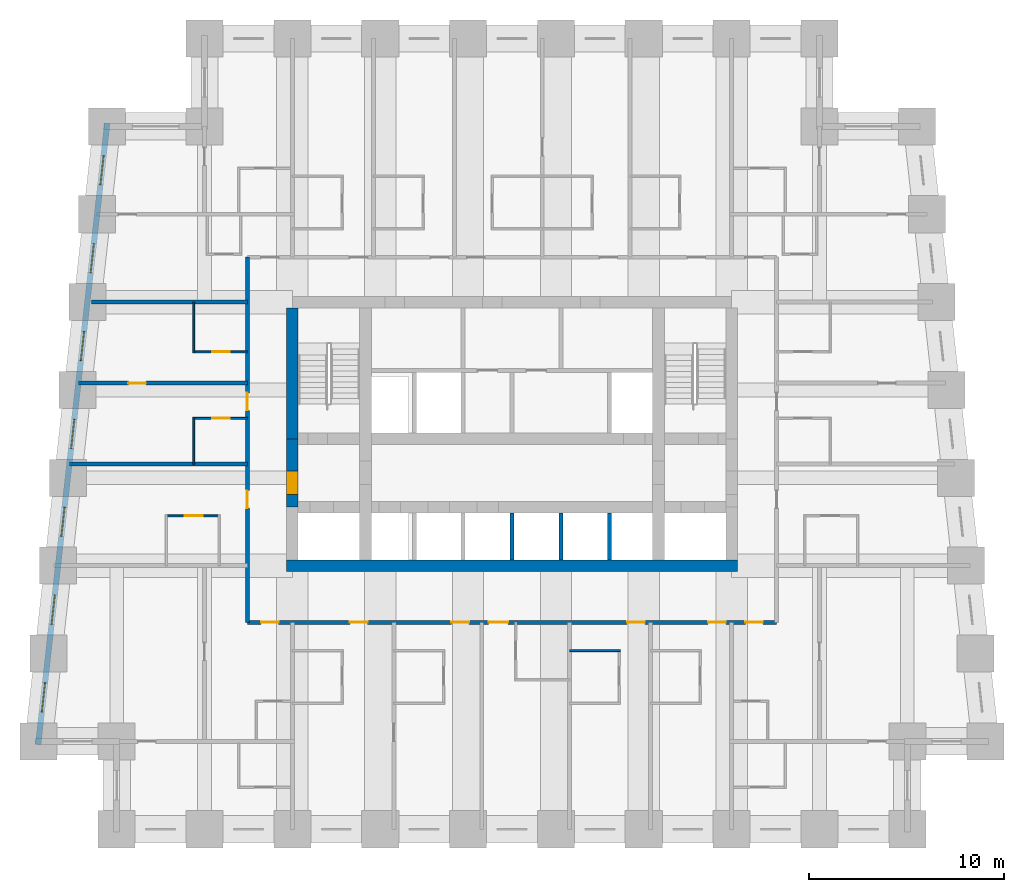
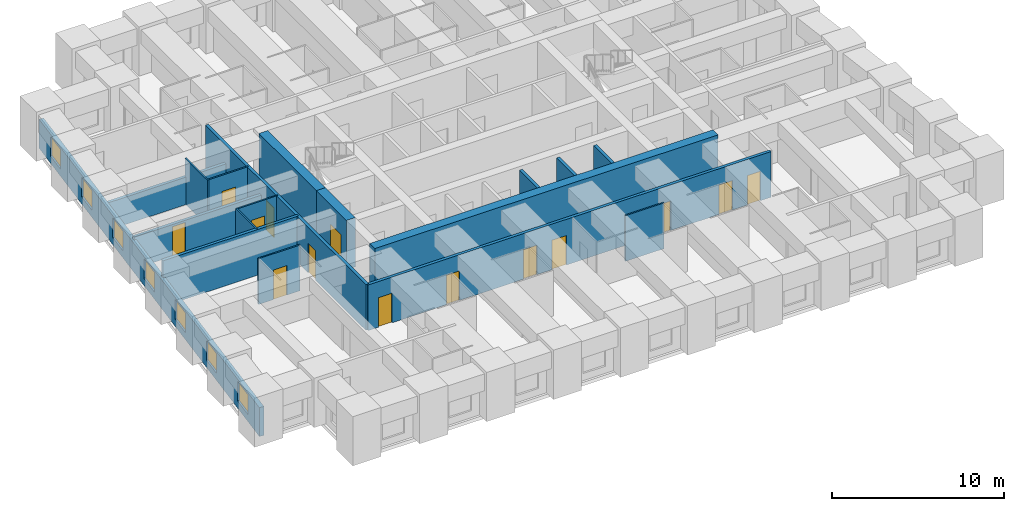
# One storey, part 3 of 8: 18 walls, 14 doors, 7 windows, 21 openings.
"""IFC4 building model written with IfcOpenShell, lengths in metres."""

from ifc_helpers import new_model, si_unit, direction, frame, frame_2d, origin, place, context, subcontext, project, spatial, rectangle, extrude, material, layer, layer_set, type_object, element, fill, save


model = new_model("IFC4")

# Units and contexts
model_context = context("Model", 3, precision=1e-05, world=origin(), true_north=direction((0.0, 1.0)))
body_context = subcontext(model_context, "Body", "Model", "MODEL_VIEW")
ifc_project = project(units=[si_unit("LENGTHUNIT", "METRE"), si_unit("AREAUNIT", "SQUARE_METRE"), si_unit("VOLUMEUNIT", "CUBIC_METRE"), si_unit("PLANEANGLEUNIT", "RADIAN"), si_unit("MASSUNIT", "GRAM", prefix="KILO")], contexts=[model_context])

# Site, building, storey
site_placement = place(None, origin())
site = spatial("IfcSite", under=ifc_project, at=site_placement, CompositionType="ELEMENT")
building_placement = place(site_placement, origin())
building = spatial("IfcBuilding", under=site, at=building_placement, Name="Kilele Tower Hotel", CompositionType="ELEMENT")
storey_placement = place(building_placement, frame((0.0, 0.0, 47.199951171875)))
storey = spatial("IfcBuildingStorey", under=building, at=storey_placement, Name="L10", CompositionType="ELEMENT", Elevation=47.199951171875)

# Wall
ifc_material_1 = material(Name="Moisture-resistant board")
ifc_layer_1 = layer(ifc_material_1, 0.10009765625)
ifc_layer_set_1 = layer_set([ifc_layer_1], Name="Moisture-resistant board")
wall_type_1 = type_object("IfcWallType", Name="Bathroom partition 100", PredefinedType="PLUMBINGWALL", material=ifc_layer_set_1)
wall_1_placement = place(storey_placement, frame((27.699951171875, 9.14990234375, 0.0), z_axis=(0.0, 0.0, 1.0), x_axis=(1.0, 0.0, 0.0)))
element("IfcWall", 1, at=wall_1_placement, inside=storey, type_object=wall_type_1, Name="Bathroom partition 100 L10", PredefinedType="PLUMBINGWALL", context=body_context, shape_type="SweptSolid", body=[
    extrude(rectangle(XDim=2.60009765625, YDim=0.10009765625, at=frame_2d((1.300048828125, 0.0))), origin(), (0.0, 0.0, 1.0), 3.25),
])

# Wall, opening, door
wall_2_placement = place(storey_placement, frame((9.800048828125, 16.050048828125, 0.0), z_axis=(0.0, 0.0, 1.0), x_axis=(-1.0, 0.0, 0.0)))
wall_2 = element("IfcWall", 2, at=wall_2_placement, inside=storey, type_object=wall_type_1, Name="Bathroom partition 100 L10", PredefinedType="PLUMBINGWALL", context=body_context, shape_type="SweptSolid", body=[
    extrude(rectangle(XDim=2.800048828125, YDim=0.10009765625, at=frame_2d((1.39990234375, 0.0))), origin(), (0.0, 0.0, 1.0), 3.25),
])
opening_1_placement = place(wall_2_placement, frame((1.7998046875, 0.0, 0.0), z_axis=(0.0, 0.0, 1.0), x_axis=(-1.0, 0.0, 0.0)))
opening_1 = element("IfcOpeningElement", 3, at=opening_1_placement, cuts=wall_2, Name="Opening D2A", PredefinedType="OPENING", context=body_context, shape_type="SweptSolid", body=[
    extrude(rectangle(XDim=0.89990234375, YDim=2.10009765625, at=frame_2d((0.449951171875, 1.050048828125))), frame((0.0, 0.06005859375, 0.0), z_axis=(0.0, -1.0, 0.0), x_axis=(1.0, 0.0, 0.0)), (0.0, 0.0, 1.0), 0.1201171875),
])
ifc_material_2 = material(Name="Timber door leaf in hardwood frame", Category="wood")
door_type_1 = type_object("IfcDoorType", Name="Bathroom door 900", OperationType="SINGLE_SWING_LEFT", PredefinedType="DOOR", material=ifc_material_2)
door_1_placement = place(opening_1_placement, origin())
door_1 = element("IfcDoor", 4, at=door_1_placement, inside=storey, type_object=door_type_1, Name="Bathroom door 1014B", OperationType="SINGLE_SWING_RIGHT", OverallHeight=2.10009765625, OverallWidth=0.89990234375, PredefinedType="DOOR", context=body_context, shape_type="SweptSolid", body=[
    extrude(rectangle(XDim=0.89990234375, YDim=2.10009765625, at=frame_2d((0.449951171875, 1.050048828125))), frame((0.0, 0.02490234375, 0.0), z_axis=(0.0, -1.0, 0.0), x_axis=(1.0, 0.0, 0.0)), (0.0, 0.0, 1.0), 0.050048828125),
])
fill(opening_1, door_1)

# Wall
wall_3_placement = place(storey_placement, frame((8.449951171875, 18.699951171875, 0.0), z_axis=(0.0, 0.0, 1.0), x_axis=(0.0, 1.0, 0.0)))
element("IfcWall", 5, at=wall_3_placement, inside=storey, type_object=wall_type_1, Name="Bathroom partition 100 L10", PredefinedType="PLUMBINGWALL", context=body_context, shape_type="SweptSolid", body=[
    extrude(rectangle(XDim=2.400146484375, YDim=0.10009765625, at=frame_2d((1.2001953125, 0.0))), origin(), (0.0, 0.0, 1.0), 3.25),
])

# Wall, opening, door
wall_4_placement = place(storey_placement, frame((11.199951171875, 21.050048828125, 0.0), z_axis=(0.0, 0.0, 1.0), x_axis=(-1.0, 0.0, 0.0)))
wall_4 = element("IfcWall", 6, at=wall_4_placement, inside=storey, type_object=wall_type_1, Name="Bathroom partition 100 L10", PredefinedType="PLUMBINGWALL", context=body_context, shape_type="SweptSolid", body=[
    extrude(rectangle(XDim=2.800048828125, YDim=0.10009765625, at=frame_2d((1.39990234375, 0.0))), origin(), (0.0, 0.0, 1.0), 3.25),
])
opening_2_placement = place(wall_4_placement, frame((1.7998046875, 0.0, 0.0), z_axis=(0.0, 0.0, 1.0), x_axis=(-1.0, 0.0, 0.0)))
opening_2 = element("IfcOpeningElement", 7, at=opening_2_placement, cuts=wall_4, Name="Opening D2A", PredefinedType="OPENING", context=body_context, shape_type="SweptSolid", body=[
    extrude(rectangle(XDim=0.89990234375, YDim=2.10009765625, at=frame_2d((0.449951171875, 1.050048828125))), frame((0.0, 0.06005859375, 0.0), z_axis=(0.0, -1.0, 0.0), x_axis=(1.0, 0.0, 0.0)), (0.0, 0.0, 1.0), 0.1201171875),
])
door_2_placement = place(opening_2_placement, origin())
door_2 = element("IfcDoor", 8, at=door_2_placement, inside=storey, type_object=door_type_1, Name="Bathroom door 1015B", OperationType="SINGLE_SWING_RIGHT", OverallHeight=2.10009765625, OverallWidth=0.89990234375, PredefinedType="DOOR", context=body_context, shape_type="SweptSolid", body=[
    extrude(rectangle(XDim=0.89990234375, YDim=2.10009765625, at=frame_2d((0.449951171875, 1.050048828125))), frame((0.0, 0.02490234375, 0.0), z_axis=(0.0, -1.0, 0.0), x_axis=(1.0, 0.0, 0.0)), (0.0, 0.0, 1.0), 0.050048828125),
])
fill(opening_2, door_2)

# Wall
wall_5_placement = place(storey_placement, frame((8.449951171875, 24.39990234375, 0.0), z_axis=(0.0, 0.0, 1.0), x_axis=(0.0, 1.0, 0.0)))
element("IfcWall", 9, at=wall_5_placement, inside=storey, type_object=wall_type_1, Name="Bathroom partition 100 L10", PredefinedType="PLUMBINGWALL", context=body_context, shape_type="SweptSolid", body=[
    extrude(rectangle(XDim=2.60009765625, YDim=0.10009765625, at=frame_2d((1.300048828125, 0.0))), origin(), (0.0, 0.0, 1.0), 3.25),
])

# Wall, opening, door
wall_6_placement = place(storey_placement, frame((11.199951171875, 24.449951171875, 0.0), z_axis=(0.0, 0.0, 1.0), x_axis=(-1.0, 0.0, 0.0)))
wall_6 = element("IfcWall", 10, at=wall_6_placement, inside=storey, type_object=wall_type_1, Name="Bathroom partition 100 L10", PredefinedType="PLUMBINGWALL", context=body_context, shape_type="SweptSolid", body=[
    extrude(rectangle(XDim=2.800048828125, YDim=0.10009765625, at=frame_2d((1.39990234375, 0.0))), origin(), (0.0, 0.0, 1.0), 3.25),
])
opening_3_placement = place(wall_6_placement, frame((0.89990234375, 0.0, 0.0)))
opening_3 = element("IfcOpeningElement", 11, at=opening_3_placement, cuts=wall_6, Name="Opening D2A", PredefinedType="OPENING", context=body_context, shape_type="SweptSolid", body=[
    extrude(rectangle(XDim=0.89990234375, YDim=2.10009765625, at=frame_2d((0.449951171875, 1.050048828125))), frame((0.0, 0.06005859375, 0.0), z_axis=(0.0, -1.0, 0.0), x_axis=(1.0, 0.0, 0.0)), (0.0, 0.0, 1.0), 0.1201171875),
])
door_3_placement = place(opening_3_placement, origin())
door_3 = element("IfcDoor", 12, at=door_3_placement, inside=storey, type_object=door_type_1, Name="Bathroom door 1016B", OperationType="SINGLE_SWING_LEFT", OverallHeight=2.10009765625, OverallWidth=0.89990234375, PredefinedType="DOOR", context=body_context, shape_type="SweptSolid", body=[
    extrude(rectangle(XDim=0.89990234375, YDim=2.10009765625, at=frame_2d((0.449951171875, 1.050048828125))), frame((0.0, 0.02490234375, 0.0), z_axis=(0.0, -1.0, 0.0), x_axis=(1.0, 0.0, 0.0)), (0.0, 0.0, 1.0), 0.050048828125),
])
fill(opening_3, door_3)

# Walls
ifc_material_3 = material(Name="Concrete C60/75", Category="concrete")
ifc_layer_2 = layer(ifc_material_3, 0.60009765625)
ifc_layer_set_2 = layer_set([ifc_layer_2], Name="Concrete C60/75")
wall_type_2 = type_object("IfcWallType", Name="Core wall 600 C60/75", PredefinedType="SHEAR", material=ifc_layer_set_2)
wall_7_placement = place(storey_placement, frame((13.199951171875, 13.5, 0.0), z_axis=(0.0, 0.0, 1.0), x_axis=(1.0, 0.0, 0.0)))
element("IfcWall", 13, at=wall_7_placement, inside=storey, type_object=wall_type_2, Name="Core wall S L10", PredefinedType="SHEAR", context=body_context, shape_type="SweptSolid", body=[
    extrude(rectangle(XDim=23.10009765625, YDim=0.60009765625, at=frame_2d((11.550048828125, 0.0))), origin(), (0.0, 0.0, 1.0), 3.5),
])
wall_8_placement = place(storey_placement, frame((13.5, 26.699951171875, 0.0), z_axis=(0.0, 0.0, 1.0), x_axis=(0.0, -1.0, 0.0)))
element("IfcWall", 14, at=wall_8_placement, inside=storey, type_object=wall_type_2, Name="Core wall W1 L10", PredefinedType="SHEAR", context=body_context, shape_type="SweptSolid", body=[
    extrude(rectangle(XDim=6.699951171875, YDim=0.60009765625, at=frame_2d((3.35009765625, 0.0))), origin(), (0.0, 0.0, 1.0), 3.5),
])

# Wall, opening, door
wall_9_placement = place(storey_placement, frame((13.5, 20.0, 0.0), z_axis=(0.0, 0.0, 1.0), x_axis=(0.0, -1.0, 0.0)))
wall_9 = element("IfcWall", 15, at=wall_9_placement, inside=storey, type_object=wall_type_2, Name="Core wall W2 L10", PredefinedType="SHEAR", context=body_context, shape_type="SweptSolid", body=[
    extrude(rectangle(XDim=3.5, YDim=0.60009765625, at=frame_2d((1.75, 0.0))), origin(), (0.0, 0.0, 1.0), 3.5),
])
opening_4_placement = place(wall_9_placement, frame((1.64990234375, 0.0, 0.0)))
opening_4 = element("IfcOpeningElement", 16, at=opening_4_placement, cuts=wall_9, Name="Opening D4", PredefinedType="OPENING", context=body_context, shape_type="SweptSolid", body=[
    extrude(rectangle(XDim=1.199951171875, YDim=2.10009765625, at=frame_2d((0.60009765625, 1.050048828125))), frame((0.0, 0.31005859375, 0.0), z_axis=(0.0, -1.0, 0.0), x_axis=(1.0, 0.0, 0.0)), (0.0, 0.0, 1.0), 0.6201171875),
])
ifc_material_4 = material(Name="Timber door leaf in hardwood frame", Category="wood")
door_type_2 = type_object("IfcDoorType", Name="Firefighting lobby door 1200", OperationType="SINGLE_SWING_LEFT", PredefinedType="DOOR", material=ifc_material_4)
door_4_placement = place(opening_4_placement, origin())
door_4 = element("IfcDoor", 17, at=door_4_placement, inside=storey, type_object=door_type_2, Name="Lobby door L10", OperationType="SINGLE_SWING_RIGHT", OverallHeight=2.10009765625, OverallWidth=1.199951171875, PredefinedType="DOOR", context=body_context, shape_type="SweptSolid", body=[
    extrude(rectangle(XDim=1.199951171875, YDim=2.10009765625, at=frame_2d((0.60009765625, 1.050048828125))), frame((0.0, 0.2998046875, 0.0), z_axis=(0.0, -1.0, 0.0), x_axis=(1.0, 0.0, 0.0)), (0.0, 0.0, 1.0), 0.599609375),
])
fill(opening_4, door_4)

# Wall, openings, doors
ifc_material_5 = material(Name="Blockwork, plastered both sides", Category="masonry")
ifc_layer_3 = layer(ifc_material_5, 0.199951171875)
ifc_layer_set_3 = layer_set([ifc_layer_3], Name="Blockwork, plastered both sides")
wall_type_3 = type_object("IfcWallType", Name="Corridor wall 200", PredefinedType="PARTITIONING", material=ifc_layer_set_3)
wall_10_placement = place(storey_placement, frame((11.199951171875, 10.60009765625, 0.0), z_axis=(0.0, 0.0, 1.0), x_axis=(1.0, 0.0, 0.0)))
wall_10 = element("IfcWall", 18, at=wall_10_placement, inside=storey, type_object=wall_type_3, Name="Corridor wall 200 L10", PredefinedType="PARTITIONING", context=body_context, shape_type="SweptSolid", body=[
    extrude(rectangle(XDim=27.10009765625, YDim=0.199951171875, at=frame_2d((13.550048828125, 0.0))), origin(), (0.0, 0.0, 1.0), 3.25),
])
opening_5_placement = place(wall_10_placement, frame((6.14990234375, 0.0, 0.0), z_axis=(0.0, 0.0, 1.0), x_axis=(-1.0, 0.0, 0.0)))
opening_5 = element("IfcOpeningElement", 19, at=opening_5_placement, cuts=wall_10, Name="Opening D1", PredefinedType="OPENING", context=body_context, shape_type="SweptSolid", body=[
    extrude(rectangle(XDim=0.89990234375, YDim=2.10009765625, at=frame_2d((0.449951171875, 1.050048828125))), frame((0.0, 0.10986328125, 0.0), z_axis=(0.0, -1.0, 0.0), x_axis=(1.0, 0.0, 0.0)), (0.0, 0.0, 1.0), 0.219970703125),
])
opening_6_placement = place(wall_10_placement, frame((11.349853515625, 0.0, 0.0), z_axis=(0.0, 0.0, 1.0), x_axis=(-1.0, 0.0, 0.0)))
opening_6 = element("IfcOpeningElement", 20, at=opening_6_placement, cuts=wall_10, Name="Opening D1", PredefinedType="OPENING", context=body_context, shape_type="SweptSolid", body=[
    extrude(rectangle(XDim=0.89990234375, YDim=2.10009765625, at=frame_2d((0.449951171875, 1.050048828125))), frame((0.0, 0.10986328125, 0.0), z_axis=(0.0, -1.0, 0.0), x_axis=(1.0, 0.0, 0.0)), (0.0, 0.0, 1.0), 0.219970703125),
])
opening_7_placement = place(wall_10_placement, frame((13.35009765625, 0.0, 0.0), z_axis=(0.0, 0.0, 1.0), x_axis=(-1.0, 0.0, 0.0)))
opening_7 = element("IfcOpeningElement", 21, at=opening_7_placement, cuts=wall_10, Name="Opening D1A", PredefinedType="OPENING", context=body_context, shape_type="SweptSolid", body=[
    extrude(rectangle(XDim=1.0, YDim=2.10009765625, at=frame_2d((0.5, 1.050048828125))), frame((0.0, 0.10986328125, 0.0), z_axis=(0.0, -1.0, 0.0), x_axis=(1.0, 0.0, 0.0)), (0.0, 0.0, 1.0), 0.219970703125),
])
opening_8_placement = place(wall_10_placement, frame((20.349853515625, 0.0, 0.0), z_axis=(0.0, 0.0, 1.0), x_axis=(-1.0, 0.0, 0.0)))
opening_8 = element("IfcOpeningElement", 22, at=opening_8_placement, cuts=wall_10, Name="Opening D1", PredefinedType="OPENING", context=body_context, shape_type="SweptSolid", body=[
    extrude(rectangle(XDim=0.89990234375, YDim=2.10009765625, at=frame_2d((0.449951171875, 1.050048828125))), frame((0.0, 0.10986328125, 0.0), z_axis=(0.0, -1.0, 0.0), x_axis=(1.0, 0.0, 0.0)), (0.0, 0.0, 1.0), 0.219970703125),
])
opening_9_placement = place(wall_10_placement, frame((24.5, 0.0, 0.0), z_axis=(0.0, 0.0, 1.0), x_axis=(-1.0, 0.0, 0.0)))
opening_9 = element("IfcOpeningElement", 23, at=opening_9_placement, cuts=wall_10, Name="Opening D1", PredefinedType="OPENING", context=body_context, shape_type="SweptSolid", body=[
    extrude(rectangle(XDim=0.89990234375, YDim=2.10009765625, at=frame_2d((0.449951171875, 1.050048828125))), frame((0.0, 0.10986328125, 0.0), z_axis=(0.0, -1.0, 0.0), x_axis=(1.0, 0.0, 0.0)), (0.0, 0.0, 1.0), 0.219970703125),
])
opening_10_placement = place(wall_10_placement, frame((1.599853515625, 0.0, 0.0), z_axis=(0.0, 0.0, 1.0), x_axis=(-1.0, 0.0, 0.0)))
opening_10 = element("IfcOpeningElement", 24, at=opening_10_placement, cuts=wall_10, Name="Opening D1", PredefinedType="OPENING", context=body_context, shape_type="SweptSolid", body=[
    extrude(rectangle(XDim=0.89990234375, YDim=2.10009765625, at=frame_2d((0.449951171875, 1.050048828125))), frame((0.0, 0.10986328125, 0.0), z_axis=(0.0, -1.0, 0.0), x_axis=(1.0, 0.0, 0.0)), (0.0, 0.0, 1.0), 0.219970703125),
])
opening_11_placement = place(wall_10_placement, frame((26.39990234375, 0.0, 0.0), z_axis=(0.0, 0.0, 1.0), x_axis=(-1.0, 0.0, 0.0)))
opening_11 = element("IfcOpeningElement", 25, at=opening_11_placement, cuts=wall_10, Name="Opening D1", PredefinedType="OPENING", context=body_context, shape_type="SweptSolid", body=[
    extrude(rectangle(XDim=0.89990234375, YDim=2.10009765625, at=frame_2d((0.449951171875, 1.050048828125))), frame((0.0, 0.10986328125, 0.0), z_axis=(0.0, -1.0, 0.0), x_axis=(1.0, 0.0, 0.0)), (0.0, 0.0, 1.0), 0.219970703125),
])
ifc_material_6 = material(Name="Timber door leaf in hardwood frame", Category="wood")
door_type_3 = type_object("IfcDoorType", Name="Guest room entrance door 1000", OperationType="SINGLE_SWING_LEFT", PredefinedType="DOOR", material=ifc_material_6)
door_5_placement = place(opening_7_placement, origin())
door_5 = element("IfcDoor", 26, at=door_5_placement, inside=storey, type_object=door_type_3, Name="Room entrance 1003", OperationType="SINGLE_SWING_RIGHT", OverallHeight=2.10009765625, OverallWidth=1.0, PredefinedType="DOOR", context=body_context, shape_type="SweptSolid", body=[
    extrude(rectangle(XDim=1.0, YDim=2.10009765625, at=frame_2d((0.5, 1.050048828125))), frame((0.0, 0.02490234375, 0.0), z_axis=(0.0, -1.0, 0.0), x_axis=(1.0, 0.0, 0.0)), (0.0, 0.0, 1.0), 0.050048828125),
])
fill(opening_7, door_5)
ifc_material_7 = material(Name="Timber door leaf in hardwood frame", Category="wood")
door_type_4 = type_object("IfcDoorType", Name="Guest room entrance door 900", OperationType="SINGLE_SWING_LEFT", PredefinedType="DOOR", material=ifc_material_7)
door_6_placement = place(opening_5_placement, origin())
door_6 = element("IfcDoor", 27, at=door_6_placement, inside=storey, type_object=door_type_4, Name="Room entrance 1001", OperationType="SINGLE_SWING_LEFT", OverallHeight=2.10009765625, OverallWidth=0.89990234375, PredefinedType="DOOR", context=body_context, shape_type="SweptSolid", body=[
    extrude(rectangle(XDim=0.89990234375, YDim=2.10009765625, at=frame_2d((0.449951171875, 1.050048828125))), frame((0.0, 0.02490234375, 0.0), z_axis=(0.0, -1.0, 0.0), x_axis=(1.0, 0.0, 0.0)), (0.0, 0.0, 1.0), 0.050048828125),
])
fill(opening_5, door_6)
door_7_placement = place(opening_6_placement, origin())
door_7 = element("IfcDoor", 28, at=door_7_placement, inside=storey, type_object=door_type_4, Name="Room entrance 1002", OperationType="SINGLE_SWING_LEFT", OverallHeight=2.10009765625, OverallWidth=0.89990234375, PredefinedType="DOOR", context=body_context, shape_type="SweptSolid", body=[
    extrude(rectangle(XDim=0.89990234375, YDim=2.10009765625, at=frame_2d((0.449951171875, 1.050048828125))), frame((0.0, 0.02490234375, 0.0), z_axis=(0.0, -1.0, 0.0), x_axis=(1.0, 0.0, 0.0)), (0.0, 0.0, 1.0), 0.050048828125),
])
fill(opening_6, door_7)
door_8_placement = place(opening_8_placement, origin())
door_8 = element("IfcDoor", 29, at=door_8_placement, inside=storey, type_object=door_type_4, Name="Room entrance 1004", OperationType="SINGLE_SWING_LEFT", OverallHeight=2.10009765625, OverallWidth=0.89990234375, PredefinedType="DOOR", context=body_context, shape_type="SweptSolid", body=[
    extrude(rectangle(XDim=0.89990234375, YDim=2.10009765625, at=frame_2d((0.449951171875, 1.050048828125))), frame((0.0, 0.02490234375, 0.0), z_axis=(0.0, -1.0, 0.0), x_axis=(1.0, 0.0, 0.0)), (0.0, 0.0, 1.0), 0.050048828125),
])
fill(opening_8, door_8)
door_9_placement = place(opening_9_placement, origin())
door_9 = element("IfcDoor", 30, at=door_9_placement, inside=storey, type_object=door_type_4, Name="Room entrance 1005", OperationType="SINGLE_SWING_LEFT", OverallHeight=2.10009765625, OverallWidth=0.89990234375, PredefinedType="DOOR", context=body_context, shape_type="SweptSolid", body=[
    extrude(rectangle(XDim=0.89990234375, YDim=2.10009765625, at=frame_2d((0.449951171875, 1.050048828125))), frame((0.0, 0.02490234375, 0.0), z_axis=(0.0, -1.0, 0.0), x_axis=(1.0, 0.0, 0.0)), (0.0, 0.0, 1.0), 0.050048828125),
])
fill(opening_9, door_9)
door_10_placement = place(opening_10_placement, origin())
door_10 = element("IfcDoor", 31, at=door_10_placement, inside=storey, type_object=door_type_4, Name="Room entrance 1017", OperationType="SINGLE_SWING_LEFT", OverallHeight=2.10009765625, OverallWidth=0.89990234375, PredefinedType="DOOR", context=body_context, shape_type="SweptSolid", body=[
    extrude(rectangle(XDim=0.89990234375, YDim=2.10009765625, at=frame_2d((0.449951171875, 1.050048828125))), frame((0.0, 0.02490234375, 0.0), z_axis=(0.0, -1.0, 0.0), x_axis=(1.0, 0.0, 0.0)), (0.0, 0.0, 1.0), 0.050048828125),
])
fill(opening_10, door_10)
door_11_placement = place(opening_11_placement, origin())
door_11 = element("IfcDoor", 32, at=door_11_placement, inside=storey, type_object=door_type_4, Name="Room entrance 1020", OperationType="SINGLE_SWING_RIGHT", OverallHeight=2.10009765625, OverallWidth=0.89990234375, PredefinedType="DOOR", context=body_context, shape_type="SweptSolid", body=[
    extrude(rectangle(XDim=0.89990234375, YDim=2.10009765625, at=frame_2d((0.449951171875, 1.050048828125))), frame((0.0, 0.02490234375, 0.0), z_axis=(0.0, -1.0, 0.0), x_axis=(1.0, 0.0, 0.0)), (0.0, 0.0, 1.0), 0.050048828125),
])
fill(opening_11, door_11)

wall_11_placement = place(storey_placement, frame((11.199951171875, 10.60009765625, 0.0), z_axis=(0.0, 0.0, 1.0), x_axis=(0.0, 1.0, 0.0)))
wall_11 = element("IfcWall", 33, at=wall_11_placement, inside=storey, type_object=wall_type_3, Name="Corridor wall 200 L10", PredefinedType="PARTITIONING", context=body_context, shape_type="SweptSolid", body=[
    extrude(rectangle(XDim=18.699951171875, YDim=0.199951171875, at=frame_2d((9.35009765625, 0.0))), origin(), (0.0, 0.0, 1.0), 3.25),
])
opening_12_placement = place(wall_11_placement, frame((5.85009765625, 0.0, 0.0)))
opening_12 = element("IfcOpeningElement", 34, at=opening_12_placement, cuts=wall_11, Name="Opening D1", PredefinedType="OPENING", context=body_context, shape_type="SweptSolid", body=[
    extrude(rectangle(XDim=0.89990234375, YDim=2.10009765625, at=frame_2d((0.449951171875, 1.050048828125))), frame((0.0, 0.10986328125, 0.0), z_axis=(0.0, -1.0, 0.0), x_axis=(1.0, 0.0, 0.0)), (0.0, 0.0, 1.0), 0.219970703125),
])
opening_13_placement = place(wall_11_placement, frame((10.85009765625, 0.0, 0.0)))
opening_13 = element("IfcOpeningElement", 35, at=opening_13_placement, cuts=wall_11, Name="Opening D1", PredefinedType="OPENING", context=body_context, shape_type="SweptSolid", body=[
    extrude(rectangle(XDim=0.89990234375, YDim=2.10009765625, at=frame_2d((0.449951171875, 1.050048828125))), frame((0.0, 0.10986328125, 0.0), z_axis=(0.0, -1.0, 0.0), x_axis=(1.0, 0.0, 0.0)), (0.0, 0.0, 1.0), 0.219970703125),
])
door_12_placement = place(opening_12_placement, origin())
door_12 = element("IfcDoor", 36, at=door_12_placement, inside=storey, type_object=door_type_4, Name="Room entrance 1014", OperationType="SINGLE_SWING_RIGHT", OverallHeight=2.10009765625, OverallWidth=0.89990234375, PredefinedType="DOOR", context=body_context, shape_type="SweptSolid", body=[
    extrude(rectangle(XDim=0.89990234375, YDim=2.10009765625, at=frame_2d((0.449951171875, 1.050048828125))), frame((0.0, 0.02490234375, 0.0), z_axis=(0.0, -1.0, 0.0), x_axis=(1.0, 0.0, 0.0)), (0.0, 0.0, 1.0), 0.050048828125),
])
fill(opening_12, door_12)
door_13_placement = place(opening_13_placement, origin())
door_13 = element("IfcDoor", 37, at=door_13_placement, inside=storey, type_object=door_type_4, Name="Room entrance 1015", OperationType="SINGLE_SWING_RIGHT", OverallHeight=2.10009765625, OverallWidth=0.89990234375, PredefinedType="DOOR", context=body_context, shape_type="SweptSolid", body=[
    extrude(rectangle(XDim=0.89990234375, YDim=2.10009765625, at=frame_2d((0.449951171875, 1.050048828125))), frame((0.0, 0.02490234375, 0.0), z_axis=(0.0, -1.0, 0.0), x_axis=(1.0, 0.0, 0.0)), (0.0, 0.0, 1.0), 0.050048828125),
])
fill(opening_13, door_13)

# Wall
ifc_material_8 = material(Name="Blockwork, plastered both sides", Category="masonry")
ifc_layer_4 = layer(ifc_material_8, 0.199951171875)
ifc_layer_set_4 = layer_set([ifc_layer_4], Name="Blockwork, plastered both sides")
wall_type_4 = type_object("IfcWallType", Name="Party wall 200", PredefinedType="PARTITIONING", material=ifc_layer_set_4)
wall_12_placement = place(storey_placement, frame((11.199951171875, 18.699951171875, 0.0), z_axis=(0.0, 0.0, 1.0), x_axis=(-1.0, 0.0, 0.0)))
element("IfcWall", 38, at=wall_12_placement, inside=storey, type_object=wall_type_4, Name="Party wall 200 L10", PredefinedType="PARTITIONING", context=body_context, shape_type="SweptSolid", body=[
    extrude(rectangle(XDim=9.121337890625, YDim=0.199951171875, at=frame_2d((4.560546875, 0.0))), origin(), (0.0, 0.0, 1.0), 3.25),
])

# Wall, opening, door
wall_13_placement = place(storey_placement, frame((11.199951171875, 22.85009765625, 0.0), z_axis=(0.0, 0.0, 1.0), x_axis=(-1.0, 0.0, 0.0)))
wall_13 = element("IfcWall", 39, at=wall_13_placement, inside=storey, type_object=wall_type_4, Name="Party wall 200 L10", PredefinedType="PARTITIONING", context=body_context, shape_type="SweptSolid", body=[
    extrude(rectangle(XDim=8.66015625, YDim=0.199951171875, at=frame_2d((4.330078125, 0.0))), origin(), (0.0, 0.0, 1.0), 2.25),
])
opening_14_placement = place(wall_13_placement, frame((5.199951171875, 0.0, 0.0)))
opening_14 = element("IfcOpeningElement", 40, at=opening_14_placement, cuts=wall_13, Name="Opening D3", PredefinedType="OPENING", context=body_context, shape_type="SweptSolid", body=[
    extrude(rectangle(XDim=0.89990234375, YDim=2.10009765625, at=frame_2d((0.449951171875, 1.050048828125))), frame((0.0, 0.10986328125, 0.0), z_axis=(0.0, -1.0, 0.0), x_axis=(1.0, 0.0, 0.0)), (0.0, 0.0, 1.0), 0.219970703125),
])
ifc_material_9 = material(Name="Timber door leaf in hardwood frame", Category="wood")
door_type_5 = type_object("IfcDoorType", Name="Suite internal door 900", OperationType="SINGLE_SWING_LEFT", PredefinedType="DOOR", material=ifc_material_9)
door_14_placement = place(opening_14_placement, origin())
door_14 = element("IfcDoor", 41, at=door_14_placement, inside=storey, type_object=door_type_5, Name="Suite door 1016", OperationType="SINGLE_SWING_RIGHT", OverallHeight=2.10009765625, OverallWidth=0.89990234375, PredefinedType="DOOR", context=body_context, shape_type="SweptSolid", body=[
    extrude(rectangle(XDim=0.89990234375, YDim=2.10009765625, at=frame_2d((0.449951171875, 1.050048828125))), frame((0.0, 0.02490234375, 0.0), z_axis=(0.0, -1.0, 0.0), x_axis=(1.0, 0.0, 0.0)), (0.0, 0.0, 1.0), 0.050048828125),
])
fill(opening_14, door_14)

# Wall
wall_14_placement = place(storey_placement, frame((11.199951171875, 27.0, 0.0), z_axis=(0.0, 0.0, 1.0), x_axis=(-1.0, 0.0, 0.0)))
element("IfcWall", 42, at=wall_14_placement, inside=storey, type_object=wall_type_4, Name="Party wall 200 L10", PredefinedType="PARTITIONING", context=body_context, shape_type="SweptSolid", body=[
    extrude(rectangle(XDim=7.976806640625, YDim=0.199951171875, at=frame_2d((3.98828125, 0.0))), origin(), (0.0, 0.0, 1.0), 1.949951171875),
])

# Wall, openings, windows
ifc_material_10 = material(Name="Concrete C40/50 precast", Category="concrete")
ifc_layer_5 = layer(ifc_material_10, 0.260009765625, Name="Precast backing", Category="LoadBearing")
ifc_material_11 = material(Name="Reconstituted stone finish", Category="masonry")
ifc_layer_6 = layer(ifc_material_11, 0.0400390625, Name="Face mix", Category="Finish")
ifc_layer_set_5 = layer_set([ifc_layer_5, ifc_layer_6], Name="Precast concrete C40/50, reconstituted stone finish")
wall_type_5 = type_object("IfcWallType", Name="Precast stone facade wall 300", PredefinedType="STANDARD", material=ifc_layer_set_5)
wall_15_placement = place(storey_placement, frame((4.0166015625, 36.149169921875, 0.0), z_axis=(0.0, 0.0, 1.0), x_axis=(-0.110433201132, -0.993883548555, 0.0)))
wall_15 = element("IfcWall", 43, at=wall_15_placement, inside=storey, type_object=wall_type_5, Name="Facade wall L10 edge 12", PredefinedType="STANDARD", context=body_context, shape_type="SweptSolid", body=[
    extrude(rectangle(XDim=31.994140625, YDim=0.300048828125, at=frame_2d((15.9970703125, 0.0))), origin(), (0.0, 0.0, 1.0), 2.050048828125),
])
opening_15_placement = place(wall_15_placement, frame((1.6640625, 0.0, 0.5)))
opening_15 = element("IfcOpeningElement", 44, at=opening_15_placement, cuts=wall_15, Name="Opening W1", PredefinedType="OPENING", context=body_context, shape_type="SweptSolid", body=[
    extrude(rectangle(XDim=1.5, YDim=1.39990234375, at=frame_2d((0.75, 0.699951171875))), frame((0.0, 0.159912109375, 0.0), z_axis=(0.0, -1.0, 0.0), x_axis=(1.0, 0.0, 0.0)), (0.0, 0.0, 1.0), 0.320068359375),
])
opening_16_placement = place(wall_15_placement, frame((6.19189453125, 0.0, 0.5)))
opening_16 = element("IfcOpeningElement", 45, at=opening_16_placement, cuts=wall_15, Name="Opening W1", PredefinedType="OPENING", context=body_context, shape_type="SweptSolid", body=[
    extrude(rectangle(XDim=1.5, YDim=1.39990234375, at=frame_2d((0.75, 0.699951171875))), frame((0.0, 0.159912109375, 0.0), z_axis=(0.0, -1.0, 0.0), x_axis=(1.0, 0.0, 0.0)), (0.0, 0.0, 1.0), 0.320068359375),
])
opening_17_placement = place(wall_15_placement, frame((10.718994140625, 0.0, 0.5)))
opening_17 = element("IfcOpeningElement", 46, at=opening_17_placement, cuts=wall_15, Name="Opening W1", PredefinedType="OPENING", context=body_context, shape_type="SweptSolid", body=[
    extrude(rectangle(XDim=1.5, YDim=1.39990234375, at=frame_2d((0.75, 0.699951171875))), frame((0.0, 0.159912109375, 0.0), z_axis=(0.0, -1.0, 0.0), x_axis=(1.0, 0.0, 0.0)), (0.0, 0.0, 1.0), 0.320068359375),
])
opening_18_placement = place(wall_15_placement, frame((15.2470703125, 0.0, 0.5)))
opening_18 = element("IfcOpeningElement", 47, at=opening_18_placement, cuts=wall_15, Name="Opening W1", PredefinedType="OPENING", context=body_context, shape_type="SweptSolid", body=[
    extrude(rectangle(XDim=1.5, YDim=1.39990234375, at=frame_2d((0.75, 0.699951171875))), frame((0.0, 0.159912109375, 0.0), z_axis=(0.0, -1.0, 0.0), x_axis=(1.0, 0.0, 0.0)), (0.0, 0.0, 1.0), 0.320068359375),
])
opening_19_placement = place(wall_15_placement, frame((19.77490234375, 0.0, 0.5)))
opening_19 = element("IfcOpeningElement", 48, at=opening_19_placement, cuts=wall_15, Name="Opening W1", PredefinedType="OPENING", context=body_context, shape_type="SweptSolid", body=[
    extrude(rectangle(XDim=1.5, YDim=1.39990234375, at=frame_2d((0.75, 0.699951171875))), frame((0.0, 0.159912109375, 0.0), z_axis=(0.0, -1.0, 0.0), x_axis=(1.0, 0.0, 0.0)), (0.0, 0.0, 1.0), 0.320068359375),
])
opening_20_placement = place(wall_15_placement, frame((24.302001953125, 0.0, 0.5)))
opening_20 = element("IfcOpeningElement", 49, at=opening_20_placement, cuts=wall_15, Name="Opening W1", PredefinedType="OPENING", context=body_context, shape_type="SweptSolid", body=[
    extrude(rectangle(XDim=1.5, YDim=1.39990234375, at=frame_2d((0.75, 0.699951171875))), frame((0.0, 0.159912109375, 0.0), z_axis=(0.0, -1.0, 0.0), x_axis=(1.0, 0.0, 0.0)), (0.0, 0.0, 1.0), 0.320068359375),
])
opening_21_placement = place(wall_15_placement, frame((28.830078125, 0.0, 0.5)))
opening_21 = element("IfcOpeningElement", 50, at=opening_21_placement, cuts=wall_15, Name="Opening W1", PredefinedType="OPENING", context=body_context, shape_type="SweptSolid", body=[
    extrude(rectangle(XDim=1.5, YDim=1.39990234375, at=frame_2d((0.75, 0.699951171875))), frame((0.0, 0.159912109375, 0.0), z_axis=(0.0, -1.0, 0.0), x_axis=(1.0, 0.0, 0.0)), (0.0, 0.0, 1.0), 0.320068359375),
])
ifc_material_12 = material(Name="Aluminium frame, clear double glazing", Category="aluminium")
window_type = type_object("IfcWindowType", Name="Window W1 1500 x 1400", PartitioningType="SINGLE_PANEL", PredefinedType="WINDOW", material=ifc_material_12)
window_1_placement = place(opening_15_placement, origin())
window_1 = element("IfcWindow", 51, at=window_1_placement, inside=storey, type_object=window_type, Name="Window L10", OverallHeight=1.39990234375, OverallWidth=1.5, PartitioningType="SINGLE_PANEL", PredefinedType="WINDOW", context=body_context, shape_type="SweptSolid", body=[
    extrude(rectangle(XDim=1.5, YDim=1.39990234375, at=frame_2d((0.75, 0.699951171875))), frame((0.0, 0.030029296875, 0.0), z_axis=(0.0, -1.0, 0.0), x_axis=(1.0, 0.0, 0.0)), (0.0, 0.0, 1.0), 0.06005859375),
])
fill(opening_15, window_1)
window_2_placement = place(opening_16_placement, origin())
window_2 = element("IfcWindow", 52, at=window_2_placement, inside=storey, type_object=window_type, Name="Window L10", OverallHeight=1.39990234375, OverallWidth=1.5, PartitioningType="SINGLE_PANEL", PredefinedType="WINDOW", context=body_context, shape_type="SweptSolid", body=[
    extrude(rectangle(XDim=1.5, YDim=1.39990234375, at=frame_2d((0.75, 0.699951171875))), frame((0.0, 0.030029296875, 0.0), z_axis=(0.0, -1.0, 0.0), x_axis=(1.0, 0.0, 0.0)), (0.0, 0.0, 1.0), 0.06005859375),
])
fill(opening_16, window_2)
window_3_placement = place(opening_17_placement, origin())
window_3 = element("IfcWindow", 53, at=window_3_placement, inside=storey, type_object=window_type, Name="Window L10", OverallHeight=1.39990234375, OverallWidth=1.5, PartitioningType="SINGLE_PANEL", PredefinedType="WINDOW", context=body_context, shape_type="SweptSolid", body=[
    extrude(rectangle(XDim=1.5, YDim=1.39990234375, at=frame_2d((0.75, 0.699951171875))), frame((0.0, 0.030029296875, 0.0), z_axis=(0.0, -1.0, 0.0), x_axis=(1.0, 0.0, 0.0)), (0.0, 0.0, 1.0), 0.06005859375),
])
fill(opening_17, window_3)
window_4_placement = place(opening_18_placement, origin())
window_4 = element("IfcWindow", 54, at=window_4_placement, inside=storey, type_object=window_type, Name="Window L10", OverallHeight=1.39990234375, OverallWidth=1.5, PartitioningType="SINGLE_PANEL", PredefinedType="WINDOW", context=body_context, shape_type="SweptSolid", body=[
    extrude(rectangle(XDim=1.5, YDim=1.39990234375, at=frame_2d((0.75, 0.699951171875))), frame((0.0, 0.030029296875, 0.0), z_axis=(0.0, -1.0, 0.0), x_axis=(1.0, 0.0, 0.0)), (0.0, 0.0, 1.0), 0.06005859375),
])
fill(opening_18, window_4)
window_5_placement = place(opening_19_placement, origin())
window_5 = element("IfcWindow", 55, at=window_5_placement, inside=storey, type_object=window_type, Name="Window L10", OverallHeight=1.39990234375, OverallWidth=1.5, PartitioningType="SINGLE_PANEL", PredefinedType="WINDOW", context=body_context, shape_type="SweptSolid", body=[
    extrude(rectangle(XDim=1.5, YDim=1.39990234375, at=frame_2d((0.75, 0.699951171875))), frame((0.0, 0.030029296875, 0.0), z_axis=(0.0, -1.0, 0.0), x_axis=(1.0, 0.0, 0.0)), (0.0, 0.0, 1.0), 0.06005859375),
])
fill(opening_19, window_5)
window_6_placement = place(opening_20_placement, origin())
window_6 = element("IfcWindow", 56, at=window_6_placement, inside=storey, type_object=window_type, Name="Window L10", OverallHeight=1.39990234375, OverallWidth=1.5, PartitioningType="SINGLE_PANEL", PredefinedType="WINDOW", context=body_context, shape_type="SweptSolid", body=[
    extrude(rectangle(XDim=1.5, YDim=1.39990234375, at=frame_2d((0.75, 0.699951171875))), frame((0.0, 0.030029296875, 0.0), z_axis=(0.0, -1.0, 0.0), x_axis=(1.0, 0.0, 0.0)), (0.0, 0.0, 1.0), 0.06005859375),
])
fill(opening_20, window_6)
window_7_placement = place(opening_21_placement, origin())
window_7 = element("IfcWindow", 57, at=window_7_placement, inside=storey, type_object=window_type, Name="Window L10", OverallHeight=1.39990234375, OverallWidth=1.5, PartitioningType="SINGLE_PANEL", PredefinedType="WINDOW", context=body_context, shape_type="SweptSolid", body=[
    extrude(rectangle(XDim=1.5, YDim=1.39990234375, at=frame_2d((0.75, 0.699951171875))), frame((0.0, 0.030029296875, 0.0), z_axis=(0.0, -1.0, 0.0), x_axis=(1.0, 0.0, 0.0)), (0.0, 0.0, 1.0), 0.06005859375),
])
fill(opening_21, window_7)

# Walls
ifc_material_13 = material(Name="Blockwork, fire-rated", Category="masonry")
ifc_layer_7 = layer(ifc_material_13, 0.199951171875)
ifc_layer_set_6 = layer_set([ifc_layer_7], Name="Blockwork, fire-rated")
wall_type_6 = type_object("IfcWallType", Name="Shaft wall 200", PredefinedType="PARTITIONING", material=ifc_layer_set_6)
for number, where, z_axis, x_axis, name in (
    (58, (24.75, 13.800048828125, 0.0), (0.0, 0.0, 1.0), (0.0, 1.0, 0.0), "Shaft wall 200 L10"),
    (59, (27.25, 13.800048828125, 0.0), (0.0, 0.0, 1.0), (0.0, 1.0, 0.0), "Shaft wall 200 L10"),
    (60, (29.75, 13.800048828125, 0.0), (0.0, 0.0, 1.0), (0.0, 1.0, 0.0), "Shaft wall 200 L10"),
):
    element("IfcWall", number, at=place(storey_placement, frame(where, z_axis=z_axis, x_axis=x_axis)), inside=storey, type_object=wall_type_6, Name=name, PredefinedType="PARTITIONING", context=body_context, shape_type="SweptSolid", body=[
        extrude(rectangle(XDim=2.39990234375, YDim=0.199951171875, at=frame_2d((1.199951171875, 0.0))), origin(), (0.0, 0.0, 1.0), 3.25),
    ])

save(model, "model.ifc")
